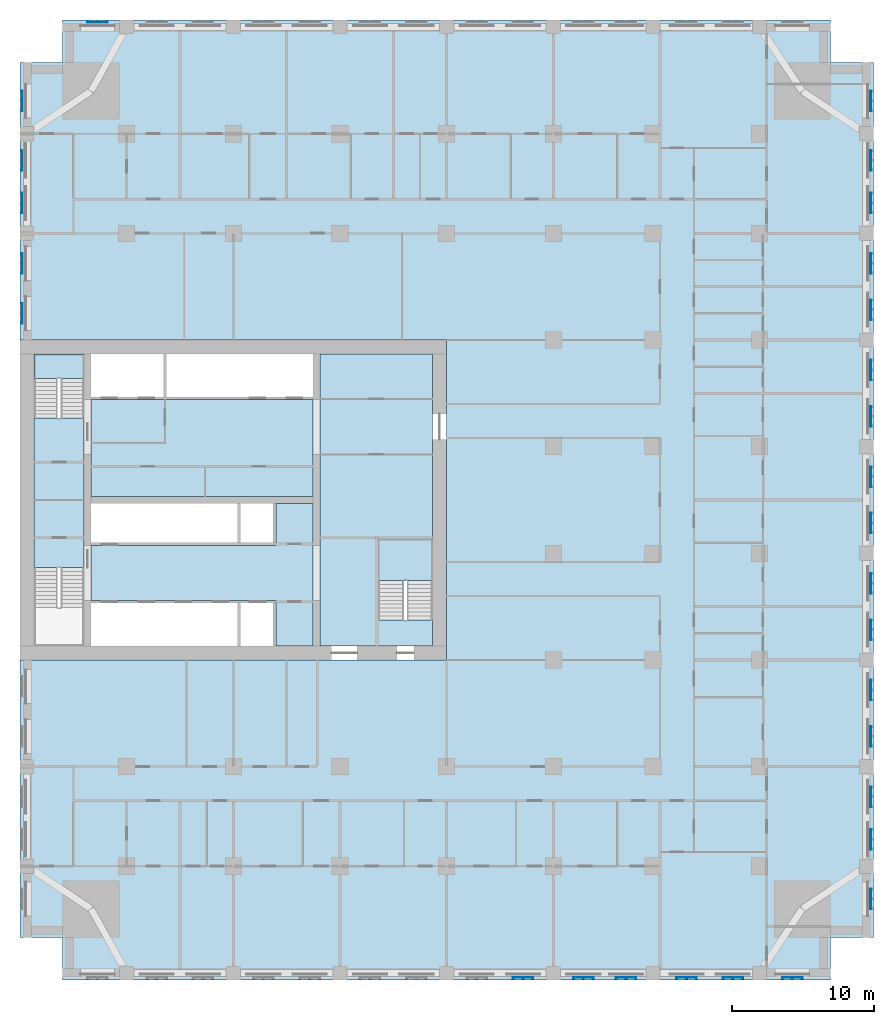
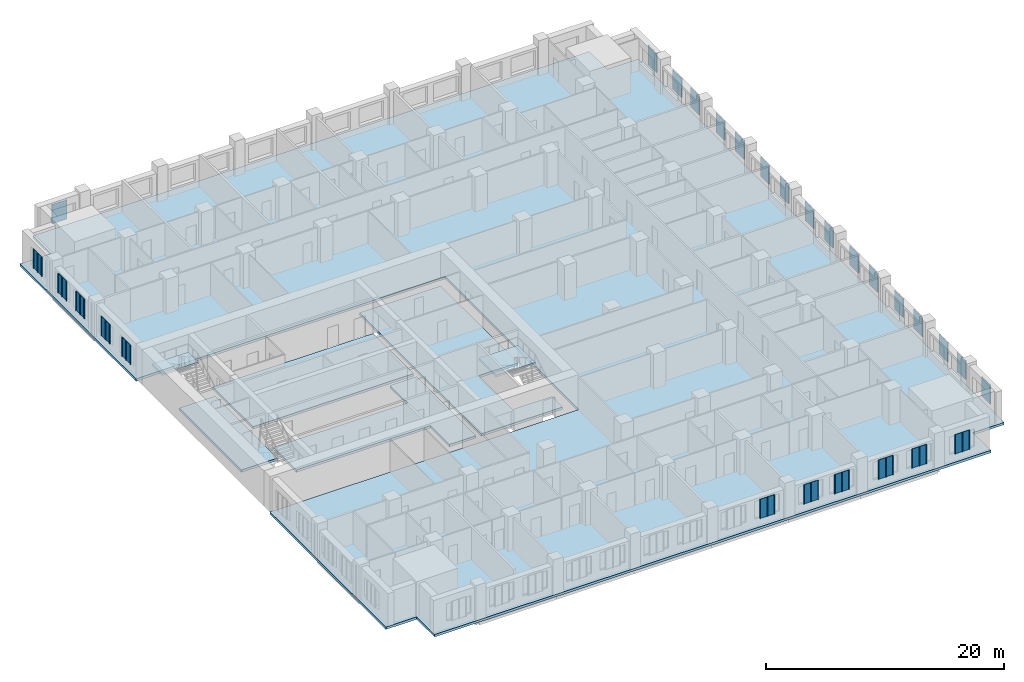
# One storey, part 2 of 14: 28 plates, 7 slabs, 2 elements without a shape of their own.
"""IFC4 building model written with IfcOpenShell, lengths in metres."""

from ifc_helpers import new_model, si_unit, direction, frame, origin, place, context, subcontext, project, spatial, polyline, outline, extrude, material, layer, layer_set, type_object, element, aggregate, save


model = new_model("IFC4")

# Units and contexts
model_context = context("Model", 3, precision=1e-05, world=origin(), true_north=direction((0.0, 1.0)))
body_context = subcontext(model_context, "Body", "Model", "MODEL_VIEW")
ifc_project = project(units=[si_unit("LENGTHUNIT", "METRE"), si_unit("AREAUNIT", "SQUARE_METRE"), si_unit("VOLUMEUNIT", "CUBIC_METRE"), si_unit("PLANEANGLEUNIT", "RADIAN"), si_unit("MASSUNIT", "GRAM", prefix="KILO")], contexts=[model_context])

# Site, building, storey
site_placement = place(None, origin())
site = spatial("IfcSite", under=ifc_project, at=site_placement, CompositionType="ELEMENT")
building_placement = place(site_placement, origin())
building = spatial("IfcBuilding", under=site, at=building_placement, Name="Tamorin Gate", CompositionType="ELEMENT")
storey_placement = place(building_placement, frame((0.0, 0.0, 59.199951171875)))
storey = spatial("IfcBuildingStorey", under=building, at=storey_placement, Name="L13", CompositionType="ELEMENT", Elevation=59.199951171875)

# Slabs
ifc_material_1 = material(Name="Concrete C40/50", Category="concrete")
ifc_layer_1 = layer(ifc_material_1, 0.25)
ifc_layer_set_1 = layer_set([ifc_layer_1], Name="Core floor slab 250 C40/50")
slab_type_1 = type_object("IfcSlabType", Name="Core floor slab 250 C40/50", PredefinedType="FLOOR", material=ifc_layer_set_1)
slab_1_placement = place(storey_placement, frame((0.0, 0.0, -0.25)))
element("IfcSlab", 1, at=slab_1_placement, inside=storey, type_object=slab_type_1, Name="Core floor L13", PredefinedType="FLOOR", context=body_context, shape_type="SweptSolid", body=[
    extrude(outline(polyline([(59.0, 62.800048828125), (59.0, 61.0), (51.10009765625, 61.0), (51.10009765625, 81.5), (59.0, 81.5), (59.0, 68.5), (55.199951171875, 68.5), (55.199951171875, 62.800048828125), (59.0, 62.800048828125)])), origin(), (0.0, 0.0, 1.0), 0.25),
])
slab_2_placement = place(storey_placement, frame((0.0, 0.0, -0.25)))
element("IfcSlab", 2, at=slab_2_placement, inside=storey, type_object=slab_type_1, Name="Core floor L13", PredefinedType="FLOOR", context=body_context, shape_type="SweptSolid", body=[
    extrude(outline(polyline([(50.60009765625, 61.0), (48.0, 61.0), (48.0, 64.199951171875), (35.0, 64.199951171875), (35.0, 68.050048828125), (48.0, 68.050048828125), (48.0, 71.0), (50.60009765625, 71.0), (50.60009765625, 61.0)])), origin(), (0.0, 0.0, 1.0), 0.25),
])
slab_3_placement = place(storey_placement, frame((0.0, 0.0, -0.25)))
element("IfcSlab", 3, at=slab_3_placement, inside=storey, type_object=slab_type_1, Name="Core floor L13", PredefinedType="FLOOR", context=body_context, shape_type="SweptSolid", body=[
    extrude(outline(polyline([(50.60009765625, 71.5), (35.0, 71.5), (35.0, 78.300048828125), (50.60009765625, 78.300048828125), (50.60009765625, 71.5)])), origin(), (0.0, 0.0, 1.0), 0.25),
])
slab_4_placement = place(storey_placement, frame((0.0, 0.0, -0.25)))
element("IfcSlab", 4, at=slab_4_placement, inside=storey, type_object=slab_type_1, Name="Core floor L13", PredefinedType="FLOOR", context=body_context, shape_type="SweptSolid", body=[
    extrude(outline(polyline([(31.0, 66.5), (31.0, 77.0), (34.5, 77.0), (34.5, 66.5), (31.0, 66.5)])), origin(), (0.0, 0.0, 1.0), 0.25),
])

# Stair, slab
stair_type = type_object("IfcStairType", Name="Exit stair", PredefinedType="HALF_TURN_STAIR", material=ifc_material_1)
stair_1_placement = place(storey_placement, origin())
stair_1 = element("IfcStair", 5, at=stair_1_placement, inside=storey, type_object=stair_type, Name="L13 stair ST2", PredefinedType="HALF_TURN_STAIR")
ifc_layer_2 = layer(ifc_material_1, 0.199951171875)
ifc_layer_set_2 = layer_set([ifc_layer_2], Name="Exit stair landing 200")
slab_type_2 = type_object("IfcSlabType", Name="Exit stair landing 200", PredefinedType="LANDING", material=ifc_layer_set_2)
slab_5_placement = place(storey_placement, frame((0.0, 0.0, 1.60009765625)))
slab_5 = element("IfcSlab", 6, at=slab_5_placement, type_object=slab_type_2, Name="ST2 landing 1", PredefinedType="LANDING", context=body_context, shape_type="SweptSolid", body=[
    extrude(outline(polyline([(34.5, 79.800048828125), (34.5, 81.5), (31.0, 81.5), (31.0, 79.800048828125), (34.5, 79.800048828125)])), origin(), (0.0, 0.0, 1.0), 0.199951171875),
])
aggregate(stair_1, [slab_5])

stair_2_placement = place(storey_placement, origin())
stair_2 = element("IfcStair", 7, at=stair_2_placement, inside=storey, type_object=stair_type, Name="L13 stair ST3", PredefinedType="HALF_TURN_STAIR")
slab_6_placement = place(storey_placement, frame((0.0, 0.0, 1.60009765625)))
slab_6 = element("IfcSlab", 8, at=slab_6_placement, type_object=slab_type_2, Name="ST3 landing 1", PredefinedType="LANDING", context=body_context, shape_type="SweptSolid", body=[
    extrude(outline(polyline([(59.0, 65.60009765625), (59.0, 68.5), (55.199951171875, 68.5), (55.199951171875, 65.60009765625), (59.0, 65.60009765625)])), origin(), (0.0, 0.0, 1.0), 0.199951171875),
])
aggregate(stair_2, [slab_6])

# Slab
ifc_layer_3 = layer(ifc_material_1, 0.25)
ifc_layer_set_3 = layer_set([ifc_layer_3], Name="Floor slab 250 C40/50")
slab_type_3 = type_object("IfcSlabType", Name="Floor slab 250 C40/50", PredefinedType="FLOOR", material=ifc_layer_set_3)
slab_7_placement = place(storey_placement, frame((0.0, 0.0, -0.25)))
element("IfcSlab", 9, at=slab_7_placement, inside=storey, type_object=slab_type_3, Name="Floor L13", PredefinedType="FLOOR", context=body_context, shape_type="SweptSolid", body=[
    extrude(outline(polyline([(30.0, 102.0), (33.0, 102.0), (33.0, 105.0), (87.0, 105.0), (87.0, 102.0), (90.0, 102.0), (90.0, 40.5), (87.0, 40.5), (87.0, 37.5), (33.0, 37.5), (33.0, 40.5), (30.0, 40.5), (30.0, 60.0), (60.0, 60.0), (60.0, 82.5), (30.0, 82.5), (30.0, 102.0)])), origin(), (0.0, 0.0, 1.0), 0.25),
])

# Plates
ifc_material_2 = material(Name="Perforated pale aluminium sheet", Category="aluminium")
ifc_layer_4 = layer(ifc_material_2, 0.0400390625)
ifc_layer_set_4 = layer_set([ifc_layer_4], Name="Pale metal solar screen 1440")
plate_type = type_object("IfcPlateType", Name="Pale metal solar screen 1440", PredefinedType="SHEET", material=ifc_layer_set_4)
plate_1_placement = place(storey_placement, frame((0.0, 0.0, 0.7099609375)))
element("IfcPlate", 10, at=plate_1_placement, inside=storey, type_object=plate_type, Name="Perforated solar screen", PredefinedType="SHEET", context=body_context, shape_type="SweptSolid", body=[
    extrude(outline(polyline([(64.655029296875, 37.659912109375), (64.655029296875, 37.699951171875), (64.715087890625, 37.699951171875), (65.344970703125, 37.699951171875), (65.405029296875, 37.699951171875), (66.034912109375, 37.699951171875), (66.094970703125, 37.699951171875), (66.094970703125, 37.659912109375), (66.094970703125, 37.60009765625), (66.034912109375, 37.60009765625), (66.034912109375, 37.659912109375), (65.405029296875, 37.659912109375), (65.405029296875, 37.60009765625), (65.344970703125, 37.60009765625), (65.344970703125, 37.659912109375), (64.715087890625, 37.659912109375), (64.715087890625, 37.60009765625), (64.655029296875, 37.60009765625), (64.655029296875, 37.659912109375)])), origin(), (0.0, 0.0, 1.0), 1.97998046875),
])
plate_2_placement = place(storey_placement, frame((0.0, 0.0, 0.7099609375)))
element("IfcPlate", 11, at=plate_2_placement, inside=storey, type_object=plate_type, Name="Perforated solar screen", PredefinedType="SHEET", context=body_context, shape_type="SweptSolid", body=[
    extrude(outline(polyline([(68.905029296875, 37.659912109375), (68.905029296875, 37.699951171875), (68.965087890625, 37.699951171875), (69.594970703125, 37.699951171875), (69.655029296875, 37.699951171875), (70.284912109375, 37.699951171875), (70.344970703125, 37.699951171875), (70.344970703125, 37.659912109375), (70.344970703125, 37.60009765625), (70.284912109375, 37.60009765625), (70.284912109375, 37.659912109375), (69.655029296875, 37.659912109375), (69.655029296875, 37.60009765625), (69.594970703125, 37.60009765625), (69.594970703125, 37.659912109375), (68.965087890625, 37.659912109375), (68.965087890625, 37.60009765625), (68.905029296875, 37.60009765625), (68.905029296875, 37.659912109375)])), origin(), (0.0, 0.0, 1.0), 1.97998046875),
])
plate_3_placement = place(storey_placement, frame((0.0, 0.0, 0.7099609375)))
element("IfcPlate", 12, at=plate_3_placement, inside=storey, type_object=plate_type, Name="Perforated solar screen", PredefinedType="SHEET", context=body_context, shape_type="SweptSolid", body=[
    extrude(outline(polyline([(71.905029296875, 37.659912109375), (71.905029296875, 37.699951171875), (71.965087890625, 37.699951171875), (72.594970703125, 37.699951171875), (72.655029296875, 37.699951171875), (73.284912109375, 37.699951171875), (73.344970703125, 37.699951171875), (73.344970703125, 37.659912109375), (73.344970703125, 37.60009765625), (73.284912109375, 37.60009765625), (73.284912109375, 37.659912109375), (72.655029296875, 37.659912109375), (72.655029296875, 37.60009765625), (72.594970703125, 37.60009765625), (72.594970703125, 37.659912109375), (71.965087890625, 37.659912109375), (71.965087890625, 37.60009765625), (71.905029296875, 37.60009765625), (71.905029296875, 37.659912109375)])), origin(), (0.0, 0.0, 1.0), 1.97998046875),
])
plate_4_placement = place(storey_placement, frame((0.0, 0.0, 0.7099609375)))
element("IfcPlate", 13, at=plate_4_placement, inside=storey, type_object=plate_type, Name="Perforated solar screen", PredefinedType="SHEET", context=body_context, shape_type="SweptSolid", body=[
    extrude(outline(polyline([(76.155029296875, 37.659912109375), (76.155029296875, 37.699951171875), (76.215087890625, 37.699951171875), (76.844970703125, 37.699951171875), (76.905029296875, 37.699951171875), (77.534912109375, 37.699951171875), (77.594970703125, 37.699951171875), (77.594970703125, 37.659912109375), (77.594970703125, 37.60009765625), (77.534912109375, 37.60009765625), (77.534912109375, 37.659912109375), (76.905029296875, 37.659912109375), (76.905029296875, 37.60009765625), (76.844970703125, 37.60009765625), (76.844970703125, 37.659912109375), (76.215087890625, 37.659912109375), (76.215087890625, 37.60009765625), (76.155029296875, 37.60009765625), (76.155029296875, 37.659912109375)])), origin(), (0.0, 0.0, 1.0), 1.97998046875),
])
plate_5_placement = place(storey_placement, frame((0.0, 0.0, 0.7099609375)))
element("IfcPlate", 14, at=plate_5_placement, inside=storey, type_object=plate_type, Name="Perforated solar screen", PredefinedType="SHEET", context=body_context, shape_type="SweptSolid", body=[
    extrude(outline(polyline([(79.405029296875, 37.659912109375), (79.405029296875, 37.699951171875), (79.465087890625, 37.699951171875), (80.094970703125, 37.699951171875), (80.155029296875, 37.699951171875), (80.784912109375, 37.699951171875), (80.844970703125, 37.699951171875), (80.844970703125, 37.659912109375), (80.844970703125, 37.60009765625), (80.784912109375, 37.60009765625), (80.784912109375, 37.659912109375), (80.155029296875, 37.659912109375), (80.155029296875, 37.60009765625), (80.094970703125, 37.60009765625), (80.094970703125, 37.659912109375), (79.465087890625, 37.659912109375), (79.465087890625, 37.60009765625), (79.405029296875, 37.60009765625), (79.405029296875, 37.659912109375)])), origin(), (0.0, 0.0, 1.0), 1.97998046875),
])
plate_6_placement = place(storey_placement, frame((0.0, 0.0, 0.7099609375)))
element("IfcPlate", 15, at=plate_6_placement, inside=storey, type_object=plate_type, Name="Perforated solar screen", PredefinedType="SHEET", context=body_context, shape_type="SweptSolid", body=[
    extrude(outline(polyline([(83.580078125, 37.659912109375), (83.580078125, 37.699951171875), (83.639892578125, 37.699951171875), (84.27001953125, 37.699951171875), (84.330078125, 37.699951171875), (84.9599609375, 37.699951171875), (85.02001953125, 37.699951171875), (85.02001953125, 37.659912109375), (85.02001953125, 37.60009765625), (84.9599609375, 37.60009765625), (84.9599609375, 37.659912109375), (84.330078125, 37.659912109375), (84.330078125, 37.60009765625), (84.27001953125, 37.60009765625), (84.27001953125, 37.659912109375), (83.639892578125, 37.659912109375), (83.639892578125, 37.60009765625), (83.580078125, 37.60009765625), (83.580078125, 37.659912109375)])), origin(), (0.0, 0.0, 1.0), 1.97998046875),
])
plate_7_placement = place(storey_placement, frame((0.0, 0.0, 0.7099609375)))
element("IfcPlate", 16, at=plate_7_placement, inside=storey, type_object=plate_type, Name="Perforated solar screen", PredefinedType="SHEET", context=body_context, shape_type="SweptSolid", body=[
    extrude(outline(polyline([(89.840087890625, 42.47998046875), (89.800048828125, 42.47998046875), (89.800048828125, 42.5400390625), (89.800048828125, 43.169921875), (89.800048828125, 43.22998046875), (89.800048828125, 43.860107421875), (89.800048828125, 43.919921875), (89.840087890625, 43.919921875), (89.89990234375, 43.919921875), (89.89990234375, 43.860107421875), (89.840087890625, 43.860107421875), (89.840087890625, 43.22998046875), (89.89990234375, 43.22998046875), (89.89990234375, 43.169921875), (89.840087890625, 43.169921875), (89.840087890625, 42.5400390625), (89.89990234375, 42.5400390625), (89.89990234375, 42.47998046875), (89.840087890625, 42.47998046875)])), origin(), (0.0, 0.0, 1.0), 1.97998046875),
])
plate_8_placement = place(storey_placement, frame((0.0, 0.0, 0.7099609375)))
element("IfcPlate", 17, at=plate_8_placement, inside=storey, type_object=plate_type, Name="Perforated solar screen", PredefinedType="SHEET", context=body_context, shape_type="SweptSolid", body=[
    extrude(outline(polyline([(89.840087890625, 46.655029296875), (89.800048828125, 46.655029296875), (89.800048828125, 46.715087890625), (89.800048828125, 47.344970703125), (89.800048828125, 47.405029296875), (89.800048828125, 48.034912109375), (89.800048828125, 48.094970703125), (89.800048828125, 48.094970703125), (89.840087890625, 48.094970703125), (89.840087890625, 48.094970703125), (89.89990234375, 48.094970703125), (89.89990234375, 48.034912109375), (89.840087890625, 48.034912109375), (89.840087890625, 47.405029296875), (89.89990234375, 47.405029296875), (89.89990234375, 47.344970703125), (89.840087890625, 47.344970703125), (89.840087890625, 46.715087890625), (89.89990234375, 46.715087890625), (89.89990234375, 46.655029296875), (89.840087890625, 46.655029296875)])), origin(), (0.0, 0.0, 1.0), 1.97998046875),
])
plate_9_placement = place(storey_placement, frame((0.0, 0.0, 0.7099609375)))
element("IfcPlate", 18, at=plate_9_placement, inside=storey, type_object=plate_type, Name="Perforated solar screen", PredefinedType="SHEET", context=body_context, shape_type="SweptSolid", body=[
    extrude(outline(polyline([(89.840087890625, 49.655029296875), (89.800048828125, 49.655029296875), (89.800048828125, 49.715087890625), (89.800048828125, 50.344970703125), (89.800048828125, 50.405029296875), (89.800048828125, 51.034912109375), (89.800048828125, 51.094970703125), (89.840087890625, 51.094970703125), (89.89990234375, 51.094970703125), (89.89990234375, 51.034912109375), (89.840087890625, 51.034912109375), (89.840087890625, 50.405029296875), (89.89990234375, 50.405029296875), (89.89990234375, 50.344970703125), (89.840087890625, 50.344970703125), (89.840087890625, 49.715087890625), (89.89990234375, 49.715087890625), (89.89990234375, 49.655029296875), (89.840087890625, 49.655029296875)])), origin(), (0.0, 0.0, 1.0), 1.97998046875),
])
plate_10_placement = place(storey_placement, frame((0.0, 0.0, 0.7099609375)))
element("IfcPlate", 19, at=plate_10_placement, inside=storey, type_object=plate_type, Name="Perforated solar screen", PredefinedType="SHEET", context=body_context, shape_type="SweptSolid", body=[
    extrude(outline(polyline([(89.840087890625, 53.905029296875), (89.800048828125, 53.905029296875), (89.800048828125, 53.965087890625), (89.800048828125, 54.594970703125), (89.800048828125, 54.655029296875), (89.800048828125, 55.284912109375), (89.800048828125, 55.344970703125), (89.840087890625, 55.344970703125), (89.89990234375, 55.344970703125), (89.89990234375, 55.284912109375), (89.840087890625, 55.284912109375), (89.840087890625, 54.655029296875), (89.89990234375, 54.655029296875), (89.89990234375, 54.594970703125), (89.840087890625, 54.594970703125), (89.840087890625, 53.965087890625), (89.89990234375, 53.965087890625), (89.89990234375, 53.905029296875), (89.840087890625, 53.905029296875)])), origin(), (0.0, 0.0, 1.0), 1.97998046875),
])
plate_11_placement = place(storey_placement, frame((0.0, 0.0, 0.7099609375)))
element("IfcPlate", 20, at=plate_11_placement, inside=storey, type_object=plate_type, Name="Perforated solar screen", PredefinedType="SHEET", context=body_context, shape_type="SweptSolid", body=[
    extrude(outline(polyline([(89.840087890625, 57.155029296875), (89.800048828125, 57.155029296875), (89.800048828125, 57.215087890625), (89.800048828125, 57.844970703125), (89.800048828125, 57.905029296875), (89.800048828125, 58.534912109375), (89.800048828125, 58.594970703125), (89.840087890625, 58.594970703125), (89.89990234375, 58.594970703125), (89.89990234375, 58.534912109375), (89.840087890625, 58.534912109375), (89.840087890625, 57.905029296875), (89.89990234375, 57.905029296875), (89.89990234375, 57.844970703125), (89.840087890625, 57.844970703125), (89.840087890625, 57.215087890625), (89.89990234375, 57.215087890625), (89.89990234375, 57.155029296875), (89.840087890625, 57.155029296875)])), origin(), (0.0, 0.0, 1.0), 1.97998046875),
])
plate_12_placement = place(storey_placement, frame((0.0, 0.0, 0.7099609375)))
element("IfcPlate", 21, at=plate_12_placement, inside=storey, type_object=plate_type, Name="Perforated solar screen", PredefinedType="SHEET", context=body_context, shape_type="SweptSolid", body=[
    extrude(outline(polyline([(89.840087890625, 61.405029296875), (89.800048828125, 61.405029296875), (89.800048828125, 61.465087890625), (89.800048828125, 62.094970703125), (89.800048828125, 62.155029296875), (89.800048828125, 62.784912109375), (89.800048828125, 62.844970703125), (89.840087890625, 62.844970703125), (89.89990234375, 62.844970703125), (89.89990234375, 62.784912109375), (89.840087890625, 62.784912109375), (89.840087890625, 62.155029296875), (89.89990234375, 62.155029296875), (89.89990234375, 62.094970703125), (89.840087890625, 62.094970703125), (89.840087890625, 61.465087890625), (89.89990234375, 61.465087890625), (89.89990234375, 61.405029296875), (89.840087890625, 61.405029296875)])), origin(), (0.0, 0.0, 1.0), 1.97998046875),
])
plate_13_placement = place(storey_placement, frame((0.0, 0.0, 0.7099609375)))
element("IfcPlate", 22, at=plate_13_placement, inside=storey, type_object=plate_type, Name="Perforated solar screen", PredefinedType="SHEET", context=body_context, shape_type="SweptSolid", body=[
    extrude(outline(polyline([(89.840087890625, 64.655029296875), (89.800048828125, 64.655029296875), (89.800048828125, 64.715087890625), (89.800048828125, 65.344970703125), (89.800048828125, 65.405029296875), (89.800048828125, 66.034912109375), (89.800048828125, 66.094970703125), (89.840087890625, 66.094970703125), (89.89990234375, 66.094970703125), (89.89990234375, 66.034912109375), (89.840087890625, 66.034912109375), (89.840087890625, 65.405029296875), (89.89990234375, 65.405029296875), (89.89990234375, 65.344970703125), (89.840087890625, 65.344970703125), (89.840087890625, 64.715087890625), (89.89990234375, 64.715087890625), (89.89990234375, 64.655029296875), (89.840087890625, 64.655029296875)])), origin(), (0.0, 0.0, 1.0), 1.97998046875),
])
plate_14_placement = place(storey_placement, frame((0.0, 0.0, 0.7099609375)))
element("IfcPlate", 23, at=plate_14_placement, inside=storey, type_object=plate_type, Name="Perforated solar screen", PredefinedType="SHEET", context=body_context, shape_type="SweptSolid", body=[
    extrude(outline(polyline([(89.840087890625, 68.905029296875), (89.800048828125, 68.905029296875), (89.800048828125, 68.965087890625), (89.800048828125, 69.594970703125), (89.800048828125, 69.655029296875), (89.800048828125, 70.284912109375), (89.800048828125, 70.344970703125), (89.840087890625, 70.344970703125), (89.89990234375, 70.344970703125), (89.89990234375, 70.284912109375), (89.840087890625, 70.284912109375), (89.840087890625, 69.655029296875), (89.89990234375, 69.655029296875), (89.89990234375, 69.594970703125), (89.840087890625, 69.594970703125), (89.840087890625, 68.965087890625), (89.89990234375, 68.965087890625), (89.89990234375, 68.905029296875), (89.840087890625, 68.905029296875)])), origin(), (0.0, 0.0, 1.0), 1.97998046875),
])
plate_15_placement = place(storey_placement, frame((0.0, 0.0, 0.7099609375)))
element("IfcPlate", 24, at=plate_15_placement, inside=storey, type_object=plate_type, Name="Perforated solar screen", PredefinedType="SHEET", context=body_context, shape_type="SweptSolid", body=[
    extrude(outline(polyline([(89.840087890625, 72.155029296875), (89.800048828125, 72.155029296875), (89.800048828125, 72.215087890625), (89.800048828125, 72.844970703125), (89.800048828125, 72.905029296875), (89.800048828125, 73.534912109375), (89.800048828125, 73.594970703125), (89.840087890625, 73.594970703125), (89.89990234375, 73.594970703125), (89.89990234375, 73.534912109375), (89.840087890625, 73.534912109375), (89.840087890625, 72.905029296875), (89.89990234375, 72.905029296875), (89.89990234375, 72.844970703125), (89.840087890625, 72.844970703125), (89.840087890625, 72.215087890625), (89.89990234375, 72.215087890625), (89.89990234375, 72.155029296875), (89.840087890625, 72.155029296875)])), origin(), (0.0, 0.0, 1.0), 1.97998046875),
])
plate_16_placement = place(storey_placement, frame((0.0, 0.0, 0.7099609375)))
element("IfcPlate", 25, at=plate_16_placement, inside=storey, type_object=plate_type, Name="Perforated solar screen", PredefinedType="SHEET", context=body_context, shape_type="SweptSolid", body=[
    extrude(outline(polyline([(89.840087890625, 76.405029296875), (89.800048828125, 76.405029296875), (89.800048828125, 76.465087890625), (89.800048828125, 77.094970703125), (89.800048828125, 77.155029296875), (89.800048828125, 77.784912109375), (89.800048828125, 77.844970703125), (89.840087890625, 77.844970703125), (89.89990234375, 77.844970703125), (89.89990234375, 77.784912109375), (89.840087890625, 77.784912109375), (89.840087890625, 77.155029296875), (89.89990234375, 77.155029296875), (89.89990234375, 77.094970703125), (89.840087890625, 77.094970703125), (89.840087890625, 76.465087890625), (89.89990234375, 76.465087890625), (89.89990234375, 76.405029296875), (89.840087890625, 76.405029296875)])), origin(), (0.0, 0.0, 1.0), 1.97998046875),
])
plate_17_placement = place(storey_placement, frame((0.0, 0.0, 0.7099609375)))
element("IfcPlate", 26, at=plate_17_placement, inside=storey, type_object=plate_type, Name="Perforated solar screen", PredefinedType="SHEET", context=body_context, shape_type="SweptSolid", body=[
    extrude(outline(polyline([(89.840087890625, 79.655029296875), (89.800048828125, 79.655029296875), (89.800048828125, 79.715087890625), (89.800048828125, 80.344970703125), (89.800048828125, 80.405029296875), (89.800048828125, 81.034912109375), (89.800048828125, 81.094970703125), (89.840087890625, 81.094970703125), (89.89990234375, 81.094970703125), (89.89990234375, 81.034912109375), (89.840087890625, 81.034912109375), (89.840087890625, 80.405029296875), (89.89990234375, 80.405029296875), (89.89990234375, 80.344970703125), (89.840087890625, 80.344970703125), (89.840087890625, 79.715087890625), (89.89990234375, 79.715087890625), (89.89990234375, 79.655029296875), (89.840087890625, 79.655029296875)])), origin(), (0.0, 0.0, 1.0), 1.97998046875),
])
plate_18_placement = place(storey_placement, frame((0.0, 0.0, 0.7099609375)))
element("IfcPlate", 27, at=plate_18_placement, inside=storey, type_object=plate_type, Name="Perforated solar screen", PredefinedType="SHEET", context=body_context, shape_type="SweptSolid", body=[
    extrude(outline(polyline([(89.840087890625, 83.905029296875), (89.800048828125, 83.905029296875), (89.800048828125, 83.965087890625), (89.800048828125, 84.594970703125), (89.800048828125, 84.655029296875), (89.800048828125, 85.284912109375), (89.800048828125, 85.344970703125), (89.840087890625, 85.344970703125), (89.89990234375, 85.344970703125), (89.89990234375, 85.284912109375), (89.840087890625, 85.284912109375), (89.840087890625, 84.655029296875), (89.89990234375, 84.655029296875), (89.89990234375, 84.594970703125), (89.840087890625, 84.594970703125), (89.840087890625, 83.965087890625), (89.89990234375, 83.965087890625), (89.89990234375, 83.905029296875), (89.840087890625, 83.905029296875)])), origin(), (0.0, 0.0, 1.0), 1.97998046875),
])
plate_19_placement = place(storey_placement, frame((0.0, 0.0, 0.7099609375)))
element("IfcPlate", 28, at=plate_19_placement, inside=storey, type_object=plate_type, Name="Perforated solar screen", PredefinedType="SHEET", context=body_context, shape_type="SweptSolid", body=[
    extrude(outline(polyline([(89.840087890625, 87.155029296875), (89.800048828125, 87.155029296875), (89.800048828125, 87.215087890625), (89.800048828125, 87.844970703125), (89.800048828125, 87.905029296875), (89.800048828125, 88.534912109375), (89.800048828125, 88.594970703125), (89.840087890625, 88.594970703125), (89.89990234375, 88.594970703125), (89.89990234375, 88.534912109375), (89.840087890625, 88.534912109375), (89.840087890625, 87.905029296875), (89.89990234375, 87.905029296875), (89.89990234375, 87.844970703125), (89.840087890625, 87.844970703125), (89.840087890625, 87.215087890625), (89.89990234375, 87.215087890625), (89.89990234375, 87.155029296875), (89.840087890625, 87.155029296875)])), origin(), (0.0, 0.0, 1.0), 1.97998046875),
])
plate_20_placement = place(storey_placement, frame((0.0, 0.0, 0.7099609375)))
element("IfcPlate", 29, at=plate_20_placement, inside=storey, type_object=plate_type, Name="Perforated solar screen", PredefinedType="SHEET", context=body_context, shape_type="SweptSolid", body=[
    extrude(outline(polyline([(89.840087890625, 91.405029296875), (89.800048828125, 91.405029296875), (89.800048828125, 91.465087890625), (89.800048828125, 92.094970703125), (89.800048828125, 92.155029296875), (89.800048828125, 92.784912109375), (89.800048828125, 92.844970703125), (89.840087890625, 92.844970703125), (89.89990234375, 92.844970703125), (89.89990234375, 92.784912109375), (89.840087890625, 92.784912109375), (89.840087890625, 92.155029296875), (89.89990234375, 92.155029296875), (89.89990234375, 92.094970703125), (89.840087890625, 92.094970703125), (89.840087890625, 91.465087890625), (89.89990234375, 91.465087890625), (89.89990234375, 91.405029296875), (89.840087890625, 91.405029296875)])), origin(), (0.0, 0.0, 1.0), 1.97998046875),
])
plate_21_placement = place(storey_placement, frame((0.0, 0.0, 0.7099609375)))
element("IfcPlate", 30, at=plate_21_placement, inside=storey, type_object=plate_type, Name="Perforated solar screen", PredefinedType="SHEET", context=body_context, shape_type="SweptSolid", body=[
    extrude(outline(polyline([(89.840087890625, 94.405029296875), (89.800048828125, 94.405029296875), (89.800048828125, 94.465087890625), (89.800048828125, 95.094970703125), (89.800048828125, 95.155029296875), (89.800048828125, 95.784912109375), (89.800048828125, 95.844970703125), (89.840087890625, 95.844970703125), (89.89990234375, 95.844970703125), (89.89990234375, 95.784912109375), (89.840087890625, 95.784912109375), (89.840087890625, 95.155029296875), (89.89990234375, 95.155029296875), (89.89990234375, 95.094970703125), (89.840087890625, 95.094970703125), (89.840087890625, 94.465087890625), (89.89990234375, 94.465087890625), (89.89990234375, 94.405029296875), (89.840087890625, 94.405029296875)])), origin(), (0.0, 0.0, 1.0), 1.97998046875),
])
plate_22_placement = place(storey_placement, frame((0.0, 0.0, 0.7099609375)))
element("IfcPlate", 31, at=plate_22_placement, inside=storey, type_object=plate_type, Name="Perforated solar screen", PredefinedType="SHEET", context=body_context, shape_type="SweptSolid", body=[
    extrude(outline(polyline([(89.840087890625, 98.580078125), (89.800048828125, 98.580078125), (89.800048828125, 98.639892578125), (89.800048828125, 99.27001953125), (89.800048828125, 99.330078125), (89.800048828125, 99.9599609375), (89.800048828125, 100.02001953125), (89.840087890625, 100.02001953125), (89.89990234375, 100.02001953125), (89.89990234375, 99.9599609375), (89.840087890625, 99.9599609375), (89.840087890625, 99.330078125), (89.89990234375, 99.330078125), (89.89990234375, 99.27001953125), (89.840087890625, 99.27001953125), (89.840087890625, 98.639892578125), (89.89990234375, 98.639892578125), (89.89990234375, 98.580078125), (89.840087890625, 98.580078125)])), origin(), (0.0, 0.0, 1.0), 1.97998046875),
])
plate_23_placement = place(storey_placement, frame((0.0, 0.0, 0.7099609375)))
element("IfcPlate", 32, at=plate_23_placement, inside=storey, type_object=plate_type, Name="Perforated solar screen", PredefinedType="SHEET", context=body_context, shape_type="SweptSolid", body=[
    extrude(outline(polyline([(36.169921875, 104.840087890625), (36.169921875, 104.800048828125), (36.110107421875, 104.800048828125), (35.47998046875, 104.800048828125), (35.419921875, 104.800048828125), (34.7900390625, 104.800048828125), (34.72998046875, 104.800048828125), (34.72998046875, 104.840087890625), (34.72998046875, 104.89990234375), (34.7900390625, 104.89990234375), (34.7900390625, 104.840087890625), (35.419921875, 104.840087890625), (35.419921875, 104.89990234375), (35.47998046875, 104.89990234375), (35.47998046875, 104.840087890625), (36.110107421875, 104.840087890625), (36.110107421875, 104.89990234375), (36.169921875, 104.89990234375), (36.169921875, 104.840087890625)])), origin(), (0.0, 0.0, 1.0), 1.97998046875),
])
plate_24_placement = place(storey_placement, frame((0.0, 0.0, 0.7099609375)))
element("IfcPlate", 33, at=plate_24_placement, inside=storey, type_object=plate_type, Name="Perforated solar screen", PredefinedType="SHEET", context=body_context, shape_type="SweptSolid", body=[
    extrude(outline(polyline([(30.159912109375, 100.02001953125), (30.199951171875, 100.02001953125), (30.199951171875, 99.9599609375), (30.199951171875, 99.330078125), (30.199951171875, 99.27001953125), (30.199951171875, 98.639892578125), (30.199951171875, 98.580078125), (30.159912109375, 98.580078125), (30.10009765625, 98.580078125), (30.10009765625, 98.639892578125), (30.159912109375, 98.639892578125), (30.159912109375, 99.27001953125), (30.10009765625, 99.27001953125), (30.10009765625, 99.330078125), (30.159912109375, 99.330078125), (30.159912109375, 99.9599609375), (30.10009765625, 99.9599609375), (30.10009765625, 100.02001953125), (30.159912109375, 100.02001953125)])), origin(), (0.0, 0.0, 1.0), 1.97998046875),
])
plate_25_placement = place(storey_placement, frame((0.0, 0.0, 0.7099609375)))
element("IfcPlate", 34, at=plate_25_placement, inside=storey, type_object=plate_type, Name="Perforated solar screen", PredefinedType="SHEET", context=body_context, shape_type="SweptSolid", body=[
    extrude(outline(polyline([(30.159912109375, 92.844970703125), (30.199951171875, 92.844970703125), (30.199951171875, 92.784912109375), (30.199951171875, 92.155029296875), (30.199951171875, 92.094970703125), (30.199951171875, 91.465087890625), (30.199951171875, 91.405029296875), (30.159912109375, 91.405029296875), (30.10009765625, 91.405029296875), (30.10009765625, 91.465087890625), (30.159912109375, 91.465087890625), (30.159912109375, 92.094970703125), (30.10009765625, 92.094970703125), (30.10009765625, 92.155029296875), (30.159912109375, 92.155029296875), (30.159912109375, 92.784912109375), (30.10009765625, 92.784912109375), (30.10009765625, 92.844970703125), (30.159912109375, 92.844970703125)])), origin(), (0.0, 0.0, 1.0), 1.97998046875),
])
plate_26_placement = place(storey_placement, frame((0.0, 0.0, 0.7099609375)))
element("IfcPlate", 35, at=plate_26_placement, inside=storey, type_object=plate_type, Name="Perforated solar screen", PredefinedType="SHEET", context=body_context, shape_type="SweptSolid", body=[
    extrude(outline(polyline([(30.159912109375, 95.844970703125), (30.199951171875, 95.844970703125), (30.199951171875, 95.784912109375), (30.199951171875, 95.155029296875), (30.199951171875, 95.094970703125), (30.199951171875, 94.465087890625), (30.199951171875, 94.405029296875), (30.199951171875, 94.405029296875), (30.159912109375, 94.405029296875), (30.159912109375, 94.405029296875), (30.10009765625, 94.405029296875), (30.10009765625, 94.465087890625), (30.159912109375, 94.465087890625), (30.159912109375, 95.094970703125), (30.10009765625, 95.094970703125), (30.10009765625, 95.155029296875), (30.159912109375, 95.155029296875), (30.159912109375, 95.784912109375), (30.10009765625, 95.784912109375), (30.10009765625, 95.844970703125), (30.159912109375, 95.844970703125)])), origin(), (0.0, 0.0, 1.0), 1.97998046875),
])
plate_27_placement = place(storey_placement, frame((0.0, 0.0, 0.7099609375)))
element("IfcPlate", 36, at=plate_27_placement, inside=storey, type_object=plate_type, Name="Perforated solar screen", PredefinedType="SHEET", context=body_context, shape_type="SweptSolid", body=[
    extrude(outline(polyline([(30.159912109375, 85.094970703125), (30.199951171875, 85.094970703125), (30.199951171875, 85.034912109375), (30.199951171875, 84.405029296875), (30.199951171875, 84.344970703125), (30.199951171875, 83.715087890625), (30.199951171875, 83.655029296875), (30.159912109375, 83.655029296875), (30.10009765625, 83.655029296875), (30.10009765625, 83.715087890625), (30.159912109375, 83.715087890625), (30.159912109375, 84.344970703125), (30.10009765625, 84.344970703125), (30.10009765625, 84.405029296875), (30.159912109375, 84.405029296875), (30.159912109375, 85.034912109375), (30.10009765625, 85.034912109375), (30.10009765625, 85.094970703125), (30.159912109375, 85.094970703125)])), origin(), (0.0, 0.0, 1.0), 1.97998046875),
])
plate_28_placement = place(storey_placement, frame((0.0, 0.0, 0.7099609375)))
element("IfcPlate", 37, at=plate_28_placement, inside=storey, type_object=plate_type, Name="Perforated solar screen", PredefinedType="SHEET", context=body_context, shape_type="SweptSolid", body=[
    extrude(outline(polyline([(30.159912109375, 88.594970703125), (30.199951171875, 88.594970703125), (30.199951171875, 88.534912109375), (30.199951171875, 87.905029296875), (30.199951171875, 87.844970703125), (30.199951171875, 87.215087890625), (30.199951171875, 87.155029296875), (30.159912109375, 87.155029296875), (30.10009765625, 87.155029296875), (30.10009765625, 87.215087890625), (30.159912109375, 87.215087890625), (30.159912109375, 87.844970703125), (30.10009765625, 87.844970703125), (30.10009765625, 87.905029296875), (30.159912109375, 87.905029296875), (30.159912109375, 88.534912109375), (30.10009765625, 88.534912109375), (30.10009765625, 88.594970703125), (30.159912109375, 88.594970703125)])), origin(), (0.0, 0.0, 1.0), 1.97998046875),
])

save(model, "model.ifc")
